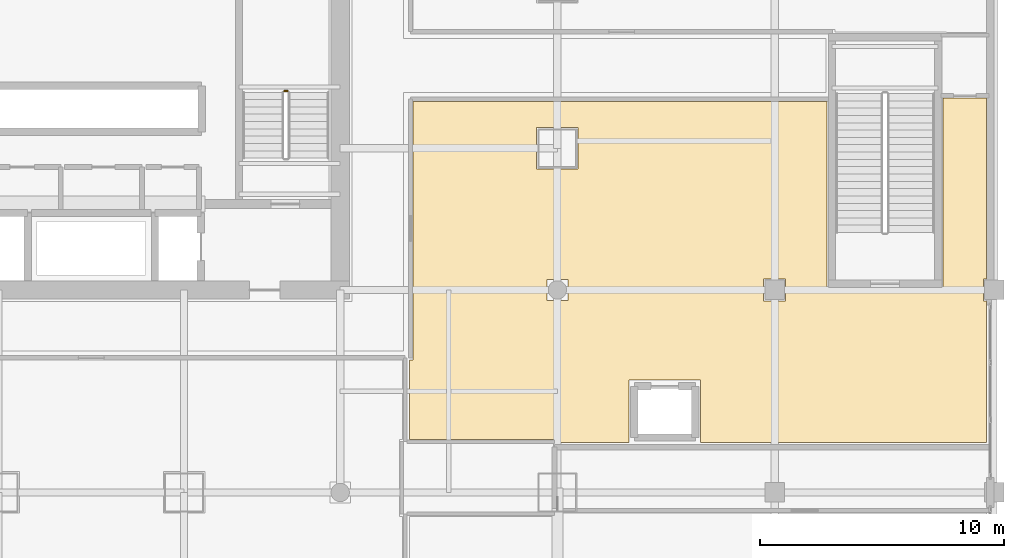
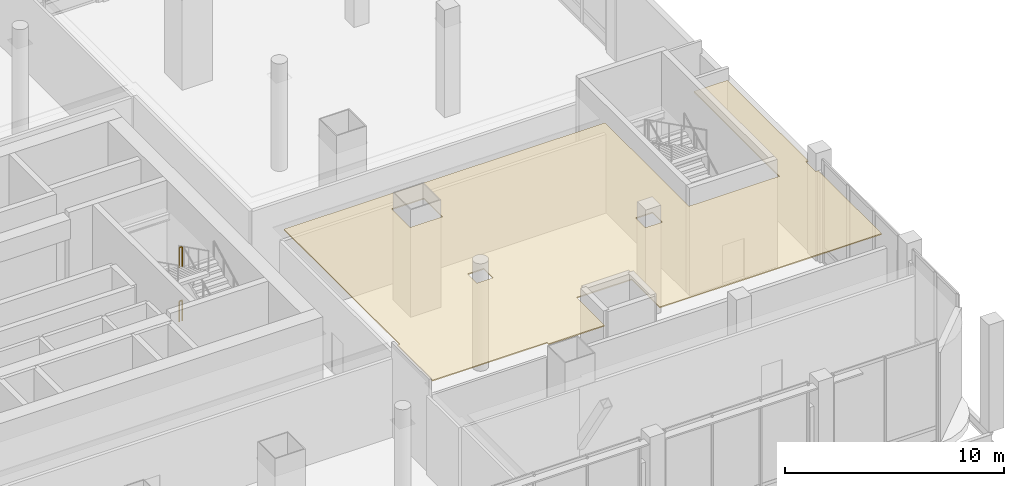
# One storey, part 35 of 38: 2 railings, 1 covering.
"""IFC4 building model written with IfcOpenShell, lengths in metres."""

import ifcopenshell
import ifcopenshell.guid

model = None  # the IFC model being written
_history = None  # IfcOwnerHistory: only IFC2X3 demands one
_inside = {}  # id of a spatial element -> (the spatial element, [elements in it])
_under = {}  # id of a project, library or spatial element -> (it, [spatial elements below it])
_declared = {}  # id of a project -> (the project, [libraries it declares])
_typed = {}  # id of a type object -> (the type object, [elements of that type])
_made_of = {}  # id of a material, layer set ... -> (it, [elements and type objects made of it])


def new_model(schema):
    """Start an empty IFC model of exactly this schema.

    Asked for "IFC4X3", IfcOpenShell would pick the latest addendum, in which some entities
    have other attributes; the version numbers below select the first issue.
    IFC2X3 requires an IfcOwnerHistory on every rooted entity: one is made here for all.
    """
    global model, _history
    if schema == "IFC4X3":
        model = ifcopenshell.file(schema_version=(4, 3, 0, 0))
    else:
        model = ifcopenshell.file(schema=schema)
    _inside.clear()
    _under.clear()
    _declared.clear()
    _typed.clear()
    _made_of.clear()
    _history = None
    if model.schema == "IFC2X3":
        org = make("IfcOrganization", Name="unknown")
        user = make(
            "IfcPersonAndOrganization",
            ThePerson=make("IfcPerson", FamilyName="unknown"),
            TheOrganization=org,
        )
        app = make(
            "IfcApplication",
            ApplicationDeveloper=org,
            Version="unknown",
            ApplicationFullName="unknown",
            ApplicationIdentifier="unknown",
        )
        _history = make(
            "IfcOwnerHistory",
            OwningUser=user,
            OwningApplication=app,
            ChangeAction="ADDED",
            CreationDate=0,
        )
    return model


def make(cls, **values):
    """One entity of the class cls with the attributes given. An attribute that is None is left unset."""
    return model.create_entity(
        cls, **{name: value for name, value in values.items() if value is not None}
    )


def rooted(cls, **values):
    """An entity with a GlobalId (a new one), such as an element, a storey or a relation."""
    return make(cls, GlobalId=ifcopenshell.guid.new(), OwnerHistory=_history, **values)


def si_unit(unit_type, name, prefix=None):
    """IfcSIUnit, for example si_unit("LENGTHUNIT", "METRE", prefix="MILLI")."""
    return make("IfcSIUnit", UnitType=unit_type, Prefix=prefix, Name=name)


def assignment(units):
    """IfcUnitAssignment: the units of a project."""
    return None if units is None else make("IfcUnitAssignment", Units=units)


def point(xyz):
    """IfcCartesianPoint."""
    return None if xyz is None else make("IfcCartesianPoint", Coordinates=xyz)


def direction(xyz):
    """IfcDirection."""
    return None if xyz is None else make("IfcDirection", DirectionRatios=xyz)


def frame(location, z_axis=None, x_axis=None):
    """IfcAxis2Placement3D, a coordinate frame: its origin and axes. An axis left out is left unset."""
    return make(
        "IfcAxis2Placement3D",
        Location=point(location),
        Axis=direction(z_axis),
        RefDirection=direction(x_axis),
    )


def frame_2d(location, x_axis=None):
    """IfcAxis2Placement2D, a coordinate frame in the plane: its origin and x axis."""
    return make(
        "IfcAxis2Placement2D", Location=point(location), RefDirection=direction(x_axis)
    )


def origin():
    """The frame at (0, 0, 0) with its axes left unset."""
    return frame((0.0, 0.0, 0.0))


def origin_2d():
    """The frame at (0, 0) in the plane with its x axis left unset."""
    return frame_2d((0.0, 0.0))


def place(relative_to, where):
    """IfcLocalPlacement: puts the frame where relative to a parent placement (None: the world)."""
    return make(
        "IfcLocalPlacement", PlacementRelTo=relative_to, RelativePlacement=where
    )


def context(
    kind, dimensions, precision=None, world=None, true_north=None, identifier=None
):
    """IfcGeometricRepresentationContext, for example the 3D "Model" context."""
    return make(
        "IfcGeometricRepresentationContext",
        ContextIdentifier=identifier,
        ContextType=kind,
        CoordinateSpaceDimension=dimensions,
        Precision=precision,
        WorldCoordinateSystem=world,
        TrueNorth=true_north,
    )


def subcontext(parent, identifier, kind, view, scale=None):
    """IfcGeometricRepresentationSubContext, for example "Body" below "Model"."""
    return make(
        "IfcGeometricRepresentationSubContext",
        ContextIdentifier=identifier,
        ContextType=kind,
        ParentContext=parent,
        TargetScale=scale,
        TargetView=view,
    )


def project(units=None, contexts=None):
    """IfcProject with its units and contexts."""
    return rooted(
        "IfcProject",
        Name="project",
        RepresentationContexts=contexts,
        UnitsInContext=assignment(units),
    )


def spatial(cls, under=None, at=None, **own):
    """A site, building, storey or space (cls), placed at a placement, below another one or the project."""
    s = rooted(cls, ObjectPlacement=at, **own)
    if under is not None:
        _under.setdefault(under.id(), (under, []))[1].append(s)
    return s


def polyline(points):
    """IfcPolyline through the points."""
    return make("IfcPolyline", Points=[point(p) for p in points])


def profile(cls, at=None, kind="AREA", **sizes):
    """A parametric profile (cls). Its sizes go by their IFC names, for example OverallWidth=200.0."""
    return make(cls, ProfileType=kind, Position=at, **sizes)


def circle(**sizes):
    """IfcCircleProfileDef."""
    return profile("IfcCircleProfileDef", **sizes)


def outline(outer, holes=None, kind="AREA"):
    """IfcArbitraryClosedProfileDef: a profile drawn as a closed curve; with holes, ...WithVoids."""
    if holes is None:
        return make("IfcArbitraryClosedProfileDef", ProfileType=kind, OuterCurve=outer)
    return make(
        "IfcArbitraryProfileDefWithVoids",
        ProfileType=kind,
        OuterCurve=outer,
        InnerCurves=holes,
    )


def extrude(swept, where, along, depth):
    """IfcExtrudedAreaSolid: the profile swept, set in the frame where, extruded along a direction by depth."""
    return make(
        "IfcExtrudedAreaSolid",
        SweptArea=swept,
        Position=where,
        ExtrudedDirection=direction(along),
        Depth=depth,
    )


def shape(context_of_items, identifier, shape_type, items):
    """IfcShapeRepresentation: the items that make up one representation, for example the "Body"."""
    return make(
        "IfcShapeRepresentation",
        ContextOfItems=context_of_items,
        RepresentationIdentifier=identifier,
        RepresentationType=shape_type,
        Items=items,
    )


def material(Name=None, Category=None):
    """IfcMaterial."""
    return make("IfcMaterial", Name=Name, Category=Category)


def layer(
    of_material, thickness, ventilated=None, Name=None, Category=None, Priority=None
):
    """IfcMaterialLayer: one layer of a wall or slab, of a material (None: an air gap)."""
    return make(
        "IfcMaterialLayer",
        Material=of_material,
        LayerThickness=thickness,
        IsVentilated=ventilated,
        Name=Name,
        Category=Category,
        Priority=Priority,
    )


def layer_set(layers, Name=None):
    """IfcMaterialLayerSet."""
    return make("IfcMaterialLayerSet", MaterialLayers=layers, LayerSetName=Name)


def made_of(thing, what):
    """Note that an element or type object is made of a material, layer set ...; save() writes the relation."""
    if what is not None:
        _made_of.setdefault(what.id(), (what, []))[1].append(thing)
    return thing


def type_object(cls, material=None, **own):
    """A type object (cls), such as IfcWallType, which elements share."""
    return made_of(rooted(cls, **own), material)


def element(
    cls,
    number,
    at=None,
    inside=None,
    cuts=None,
    type_object=None,
    material=None,
    context=None,
    identifier="Body",
    shape_type=None,
    held_by="IfcProductDefinitionShape",
    body=None,
    shapes=None,
    **own,
):
    """One element of the class cls, such as IfcWall. Its Tag is "e" and its number.

    at: its placement. inside: the storey or other place that contains it. cuts: it is an
    opening in that element (IfcRelVoidsElement). A single representation is given by context,
    identifier, shape_type and body (its items); several are given by shapes. held_by: the class
    of the entity that holds the representations. save() writes the other relations.
    """
    e = rooted(cls, Tag="e%d" % number, ObjectPlacement=at, **own)
    if body is not None:
        shapes = [shape(context, identifier, shape_type, body)]
    if shapes is not None:
        e.Representation = make(held_by, Representations=shapes)
    if inside is not None:
        _inside.setdefault(inside.id(), (inside, []))[1].append(e)
    if cuts is not None:
        rooted(
            "IfcRelVoidsElement", RelatingBuildingElement=cuts, RelatedOpeningElement=e
        )
    if type_object is not None:
        _typed.setdefault(type_object.id(), (type_object, []))[1].append(e)
    return made_of(e, material)


def aggregate(whole, parts):
    """IfcRelAggregates: a whole, such as a stair, and the parts it consists of."""
    return rooted("IfcRelAggregates", RelatingObject=whole, RelatedObjects=parts)


def save(model, path):
    """Write the relations noted so far, then the file.

    IfcRelAggregates (storeys below a building ...), IfcRelContainedInSpatialStructure (elements
    in a storey), IfcRelDefinesByType, IfcRelAssociatesMaterial and IfcRelDeclares: one each for
    every whole, place, type object, material and project.
    """
    for whole, parts in _under.values():
        aggregate(whole, parts)
    for where, things in _inside.values():
        rooted(
            "IfcRelContainedInSpatialStructure",
            RelatedElements=things,
            RelatingStructure=where,
        )
    for kind, things in _typed.values():
        rooted("IfcRelDefinesByType", RelatedObjects=things, RelatingType=kind)
    for what, things in _made_of.values():
        rooted("IfcRelAssociatesMaterial", RelatedObjects=things, RelatingMaterial=what)
    for by, libraries in _declared.values():
        rooted("IfcRelDeclares", RelatingContext=by, RelatedDefinitions=libraries)
    model.write(path)


model = new_model("IFC4")

# Units and contexts
model_context = context("Model", 3, precision=1e-05, world=origin(), true_north=direction((0.0, 1.0)))
body_context = subcontext(model_context, "Body", "Model", "MODEL_VIEW")
ifc_project = project(units=[si_unit("LENGTHUNIT", "METRE"), si_unit("AREAUNIT", "SQUARE_METRE"), si_unit("VOLUMEUNIT", "CUBIC_METRE"), si_unit("PLANEANGLEUNIT", "RADIAN"), si_unit("MASSUNIT", "GRAM", prefix="KILO")], contexts=[model_context])

# Site, building, storey
site_placement = place(None, origin())
site = spatial("IfcSite", under=ifc_project, at=site_placement, CompositionType="ELEMENT")
building_placement = place(site_placement, origin())
building = spatial("IfcBuilding", under=site, at=building_placement, Name="Punatoya Terracotta Tower", CompositionType="ELEMENT")
storey_placement = place(building_placement, frame((0.0, 0.0, 22.199951171875)))
storey = spatial("IfcBuildingStorey", under=building, at=storey_placement, Name="L04", CompositionType="ELEMENT", Elevation=22.199951171875)

# Covering
ifc_material_1 = material(Name="Acoustic Mineral Fibre Ceiling")
ifc_layer = layer(ifc_material_1, 0.06005859375)
ifc_layer_set = layer_set([ifc_layer], Name="Acoustic Mineral Fibre Ceiling")
covering_type = type_object("IfcCoveringType", Name="COV-CEIL-60", PredefinedType="CEILING", material=ifc_layer_set)
covering_placement = place(storey_placement, frame((0.0, 0.0, 5.010009765625)))
element("IfcCovering", 1, at=covering_placement, inside=storey, type_object=covering_type, Name="L04 South-East Staff Wellness Fitness Studio Acoustic Ceiling", PredefinedType="CEILING", context=body_context, shape_type="SweptSolid", body=[
    extrude(outline(polyline([(36.550048828125, -9.64990234375), (36.550048828125, -8.75), (36.679931640625, -8.75), (36.679931640625, -1.340087890625), (34.909912109375, -1.340087890625), (34.909912109375, -9.159912109375), (30.139892578125, -9.159912109375), (30.139892578125, -1.47998046875), (13.179931640625, -1.47998046875), (13.179931640625, -12.080078125), (13.0400390625, -12.080078125), (13.0400390625, -15.320068359375), (19.080078125, -15.320068359375), (19.080078125, -15.4599609375), (22.0400390625, -15.4599609375), (22.0400390625, -12.889892578125), (24.9599609375, -12.889892578125), (24.9599609375, -15.4599609375), (36.679931640625, -15.4599609375), (36.679931640625, -9.64990234375), (36.550048828125, -9.64990234375)]), holes=[polyline([(28.449951171875, -8.75), (28.449951171875, -9.64990234375), (27.550048828125, -9.64990234375), (27.550048828125, -8.75), (28.449951171875, -8.75)]), polyline([(19.949951171875, -2.550048828125), (19.949951171875, -4.25), (18.25, -4.25), (18.25, -2.550048828125), (19.949951171875, -2.550048828125)]), polyline([(18.675048828125, -8.77490234375), (19.52490234375, -8.77490234375), (19.52490234375, -9.625), (18.675048828125, -9.625), (18.675048828125, -8.77490234375)])]), origin(), (0.0, 0.0, 1.0), 0.06005859375),
])

# Railings
ifc_material_2 = material(Name="Steel S355", Category="steel")
railing_type = type_object("IfcRailingType", Name="RLG-GRD-1150", PredefinedType="GUARDRAIL", material=ifc_material_2)
for number, where, name in (
    (2, (8.050048828125, -1.050048828125, 1.5), "L04 ST-2 stair guard 2"),
    (3, (8.050048828125, -1.050048828125, 4.5), "L04 ST-2 stair guard 6"),
):
    element("IfcRailing", number, at=place(storey_placement, frame(where)), inside=storey, type_object=railing_type, Name=name, PredefinedType="GUARDRAIL", context=body_context, shape_type="SweptSolid", body=[
        extrude(circle(Radius=0.02392578125, at=origin_2d()), frame((0.0, 0.0, 1.1259765625), z_axis=(-1.0, 0.0, 0.0), x_axis=(0.0, -1.0, 0.0)), (0.0, 0.0, 1.0), 0.150146484375),
        extrude(circle(Radius=0.02099609375, at=origin_2d()), origin(), (0.0, 0.0, 1.0), 1.101806640625),
        extrude(circle(Radius=0.02099609375, at=origin_2d()), frame((-0.150146484375, 0.0, 0.0)), (0.0, 0.0, 1.0), 1.101806640625),
    ])

save(model, "model.ifc")
